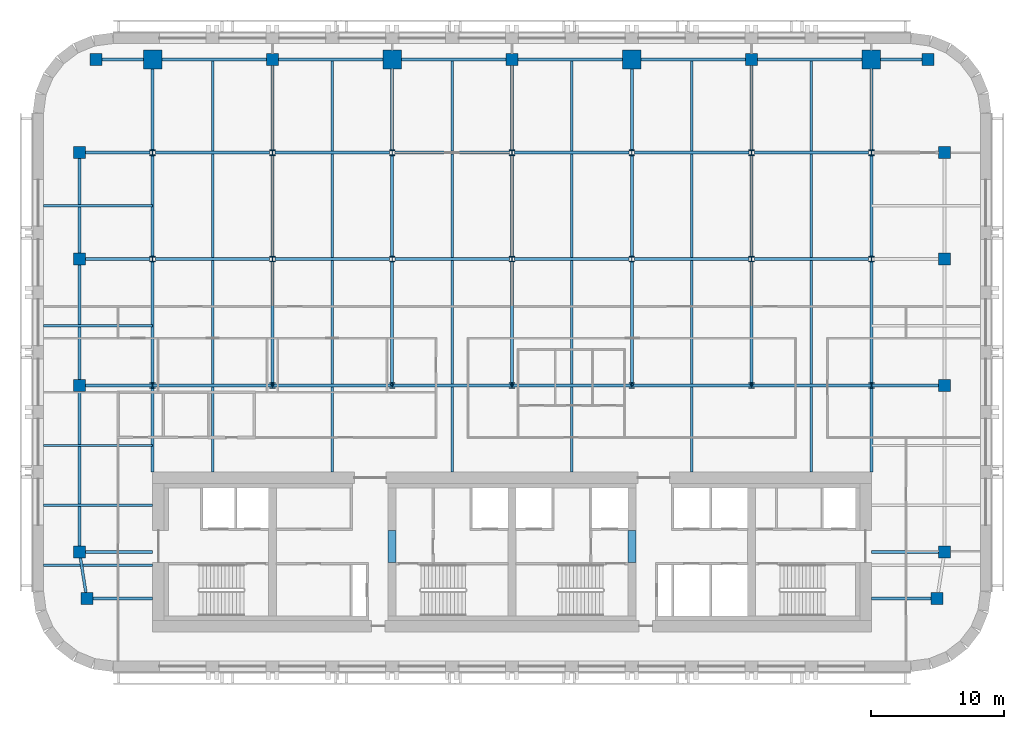
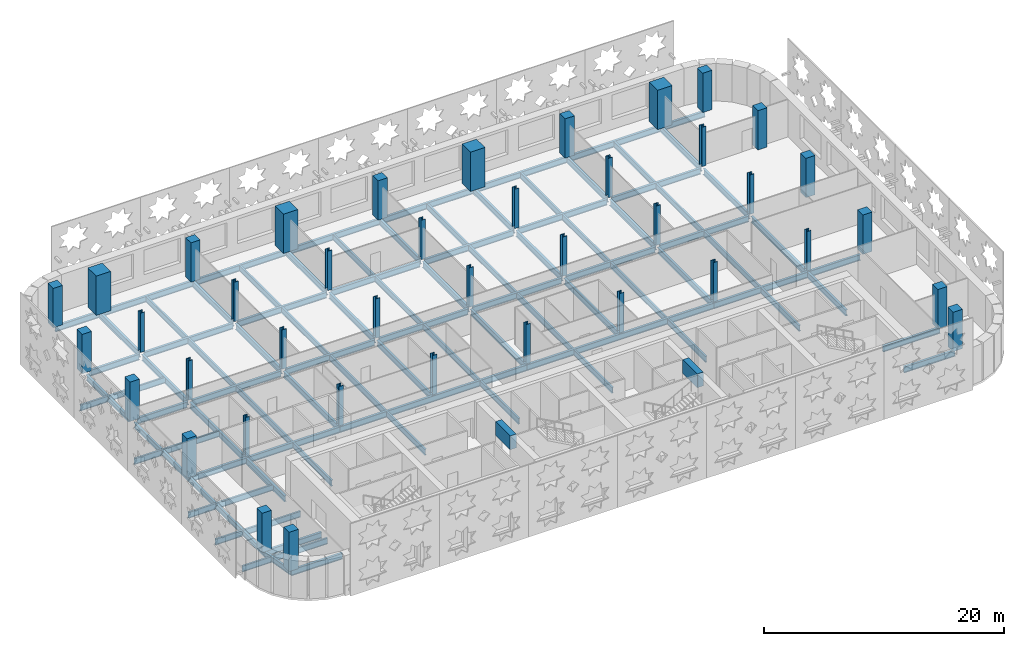
# One storey, part 1 of 12: 64 beams, 40 columns.
"""IFC4 building model written with IfcOpenShell, lengths in metres."""

from ifc_helpers import new_model, si_unit, direction, frame, origin, origin_2d, place, context, subcontext, project, spatial, rectangle, i_section, extrude, material, material_profile, profile_set, type_object, element, save


model = new_model("IFC4")

# Units and contexts
model_context = context("Model", 3, precision=1e-05, world=origin(), true_north=direction((0.0, 1.0)))
body_context = subcontext(model_context, "Body", "Model", "MODEL_VIEW")
ifc_project = project(units=[si_unit("LENGTHUNIT", "METRE"), si_unit("AREAUNIT", "SQUARE_METRE"), si_unit("VOLUMEUNIT", "CUBIC_METRE"), si_unit("PLANEANGLEUNIT", "RADIAN"), si_unit("MASSUNIT", "GRAM", prefix="KILO")], contexts=[model_context])

# Site, building, storey
site_placement = place(None, origin())
site = spatial("IfcSite", under=ifc_project, at=site_placement, CompositionType="ELEMENT")
building_placement = place(site_placement, origin())
building = spatial("IfcBuilding", under=site, at=building_placement, Name="Zellij Exchange Tower", CompositionType="ELEMENT")
storey_placement = place(building_placement, frame((0.0, 0.0, 196.5)))
storey = spatial("IfcBuildingStorey", under=building, at=storey_placement, Name="L45", CompositionType="ELEMENT", Elevation=196.5)

# Columns
ifc_material_1 = material(Name="Concrete C60/75", Category="concrete")
ifc_material_profile_1 = material_profile(ifc_material_1, rectangle(XDim=0.89990234375, YDim=0.89990234375, at=origin_2d()), Name="STR-COLUMN RC900x900 C60/75")
ifc_profile_set_1 = profile_set([ifc_material_profile_1], Name="Concrete C60/75")
column_type_1 = type_object("IfcColumnType", Name="STR-COLUMN RC900x900 C60/75", PredefinedType="COLUMN", material=ifc_profile_set_1)
for number, where, z_axis, x_axis, name in (
    (1, (-31.949951171875, -11.5, 0.0), (0.0, 0.0, 1.0), (1.0, 0.0, 0.0), "C16"),
    (2, (31.949951171875, -11.5, 0.0), (0.0, 0.0, 1.0), (1.0, 0.0, 0.0), "C16"),
    (3, (-32.5, -8.0, 0.0), (0.0, 0.0, 1.0), (1.0, 0.0, 0.0), "C16"),
    (4, (32.5, -8.0, 0.0), (0.0, 0.0, 1.0), (1.0, 0.0, 0.0), "C16"),
    (5, (-32.5, 4.5, 0.0), (0.0, 0.0, 1.0), (1.0, 0.0, 0.0), "C16"),
    (6, (32.5, 4.5, 0.0), (0.0, 0.0, 1.0), (1.0, 0.0, 0.0), "C16"),
    (7, (-32.5, 14.0, 0.0), (0.0, 0.0, 1.0), (1.0, 0.0, 0.0), "C16"),
    (8, (32.5, 14.0, 0.0), (0.0, 0.0, 1.0), (1.0, 0.0, 0.0), "C16"),
    (9, (-32.5, 22.0, 0.0), (0.0, 0.0, 1.0), (1.0, 0.0, 0.0), "C16"),
    (10, (32.5, 22.0, 0.0), (0.0, 0.0, 1.0), (1.0, 0.0, 0.0), "C16"),
    (11, (-31.25, 29.0, 0.0), (0.0, 0.0, 1.0), (1.0, 0.0, 0.0), "C16"),
    (12, (-18.0, 29.0, 0.0), (0.0, 0.0, 1.0), (1.0, 0.0, 0.0), "C16"),
    (13, (0.0, 29.0, 0.0), (0.0, 0.0, 1.0), (1.0, 0.0, 0.0), "C16"),
    (14, (18.0, 29.0, 0.0), (0.0, 0.0, 1.0), (1.0, 0.0, 0.0), "C16"),
    (15, (31.25, 29.0, 0.0), (0.0, 0.0, 1.0), (1.0, 0.0, 0.0), "C16"),
):
    element("IfcColumn", number, at=place(storey_placement, frame(where, z_axis=z_axis, x_axis=x_axis)), inside=storey, type_object=column_type_1, Name=name, PredefinedType="COLUMN", context=body_context, shape_type="SweptSolid", body=[
        extrude(rectangle(XDim=0.89990234375, YDim=0.89990234375, at=origin_2d()), origin(), (0.0, 0.0, 1.0), 4.0),
    ])
ifc_material_2 = material(Name="Structural steel ASTM A913 Gr 65", Category="steel")
ifc_material_profile_2 = material_profile(ifc_material_2, i_section(OverallWidth=0.408935546875, OverallDepth=0.424072265625, WebThickness=0.03271484375, FlangeThickness=0.052490234375, at=origin_2d()), Name="W14x283")
ifc_profile_set_2 = profile_set([ifc_material_profile_2], Name="Structural steel ASTM A913 Gr 65")
column_type_2 = type_object("IfcColumnType", Name="STR-COLUMN W14x283", PredefinedType="COLUMN", material=ifc_profile_set_2)
for number, where, z_axis, x_axis, name in (
    (16, (-27.0, 4.5, 0.0), (0.0, 0.0, 1.0), (1.0, 0.0, 0.0), "C3"),
    (17, (-18.0, 4.5, 0.0), (0.0, 0.0, 1.0), (1.0, 0.0, 0.0), "C3"),
    (18, (-9.0, 4.5, 0.0), (0.0, 0.0, 1.0), (1.0, 0.0, 0.0), "C3"),
    (19, (0.0, 4.5, 0.0), (0.0, 0.0, 1.0), (1.0, 0.0, 0.0), "C3"),
    (20, (9.0, 4.5, 0.0), (0.0, 0.0, 1.0), (1.0, 0.0, 0.0), "C3"),
    (21, (18.0, 4.5, 0.0), (0.0, 0.0, 1.0), (1.0, 0.0, 0.0), "C3"),
    (22, (27.0, 4.5, 0.0), (0.0, 0.0, 1.0), (1.0, 0.0, 0.0), "C3"),
    (23, (-27.0, 14.0, 0.0), (0.0, 0.0, 1.0), (1.0, 0.0, 0.0), "C3"),
    (24, (-18.0, 14.0, 0.0), (0.0, 0.0, 1.0), (1.0, 0.0, 0.0), "C3"),
    (25, (-9.0, 14.0, 0.0), (0.0, 0.0, 1.0), (1.0, 0.0, 0.0), "C3"),
    (26, (0.0, 14.0, 0.0), (0.0, 0.0, 1.0), (1.0, 0.0, 0.0), "C3"),
    (27, (9.0, 14.0, 0.0), (0.0, 0.0, 1.0), (1.0, 0.0, 0.0), "C3"),
    (28, (18.0, 14.0, 0.0), (0.0, 0.0, 1.0), (1.0, 0.0, 0.0), "C3"),
    (29, (27.0, 14.0, 0.0), (0.0, 0.0, 1.0), (1.0, 0.0, 0.0), "C3"),
    (30, (-27.0, 22.0, 0.0), (0.0, 0.0, 1.0), (1.0, 0.0, 0.0), "C3"),
    (31, (-18.0, 22.0, 0.0), (0.0, 0.0, 1.0), (1.0, 0.0, 0.0), "C3"),
    (32, (-9.0, 22.0, 0.0), (0.0, 0.0, 1.0), (1.0, 0.0, 0.0), "C3"),
    (33, (0.0, 22.0, 0.0), (0.0, 0.0, 1.0), (1.0, 0.0, 0.0), "C3"),
    (34, (9.0, 22.0, 0.0), (0.0, 0.0, 1.0), (1.0, 0.0, 0.0), "C3"),
    (35, (18.0, 22.0, 0.0), (0.0, 0.0, 1.0), (1.0, 0.0, 0.0), "C3"),
    (36, (27.0, 22.0, 0.0), (0.0, 0.0, 1.0), (1.0, 0.0, 0.0), "C3"),
):
    element("IfcColumn", number, at=place(storey_placement, frame(where, z_axis=z_axis, x_axis=x_axis)), inside=storey, type_object=column_type_2, Name=name, PredefinedType="COLUMN", context=body_context, shape_type="SweptSolid", body=[
        extrude(i_section(OverallWidth=0.408935546875, OverallDepth=0.424072265625, WebThickness=0.03271484375, FlangeThickness=0.052490234375, at=origin_2d()), origin(), (0.0, 0.0, 1.0), 4.0),
    ])
ifc_material_profile_3 = material_profile(ifc_material_1, rectangle(XDim=1.39990234375, YDim=1.39990234375, at=origin_2d()), Name="STR-MEGA COLUMN RC1400x1400 C60/75")
ifc_profile_set_3 = profile_set([ifc_material_profile_3], Name="Concrete C60/75")
column_type_3 = type_object("IfcColumnType", Name="STR-MEGA COLUMN RC1400x1400 C60/75", PredefinedType="COLUMN", material=ifc_profile_set_3)
for number, where, z_axis, x_axis, name in (
    (37, (-27.0, 29.0, 0.0), (0.0, 0.0, 1.0), (1.0, 0.0, 0.0), "MC3"),
    (38, (-9.0, 29.0, 0.0), (0.0, 0.0, 1.0), (1.0, 0.0, 0.0), "MC3"),
    (39, (9.0, 29.0, 0.0), (0.0, 0.0, 1.0), (1.0, 0.0, 0.0), "MC3"),
    (40, (27.0, 29.0, 0.0), (0.0, 0.0, 1.0), (1.0, 0.0, 0.0), "MC3"),
):
    element("IfcColumn", number, at=place(storey_placement, frame(where, z_axis=z_axis, x_axis=x_axis)), inside=storey, type_object=column_type_3, Name=name, PredefinedType="COLUMN", context=body_context, shape_type="SweptSolid", body=[
        extrude(rectangle(XDim=1.39990234375, YDim=1.39990234375, at=origin_2d()), origin(), (0.0, 0.0, 1.0), 4.0),
    ])

# Beams
ifc_material_profile_4 = material_profile(ifc_material_1, rectangle(XDim=0.60009765625, YDim=1.39990234375, at=origin_2d()), Name="CORE-CB 600x1400 C60/75")
ifc_profile_set_4 = profile_set([ifc_material_profile_4], Name="Concrete C60/75")
beam_type_1 = type_object("IfcBeamType", Name="CORE-CB 600x1400 C60/75", PredefinedType="BEAM", material=ifc_profile_set_4)
for number, where, z_axis, x_axis, name in (
    (41, (-9.0, -8.800048828125, 3.10009765625), (0.0, 1.0, 0.0), (-1.0, 0.0, 0.0), "Core coupling beam x -9 L45"),
    (42, (9.0, -8.800048828125, 3.10009765625), (0.0, 1.0, 0.0), (-1.0, 0.0, 0.0), "Core coupling beam x 9 L45"),
):
    element("IfcBeam", number, at=place(storey_placement, frame(where, z_axis=z_axis, x_axis=x_axis)), inside=storey, type_object=beam_type_1, Name=name, PredefinedType="BEAM", context=body_context, shape_type="SweptSolid", body=[
        extrude(rectangle(XDim=0.60009765625, YDim=1.39990234375, at=origin_2d()), origin(), (0.0, 0.0, 1.0), 2.425048828125),
    ])
ifc_material_3 = material(Name="Structural steel ASTM A992 Gr 50", Category="steel")
ifc_material_profile_5 = material_profile(ifc_material_3, i_section(OverallWidth=0.177978515625, OverallDepth=0.599365234375, WebThickness=0.010009765625, FlangeThickness=0.012939453125, at=origin_2d()), Name="W24x55")
ifc_profile_set_5 = profile_set([ifc_material_profile_5], Name="Structural steel ASTM A992 Gr 50")
beam_type_2 = type_object("IfcBeamType", Name="STR-BEAM W24x55", PredefinedType="BEAM", material=ifc_profile_set_5)
for number, where, z_axis, x_axis, name in (
    (43, (-22.5, -2.0, -0.499755859375), (0.0, 1.0, 0.0), (-1.0, 0.0, 0.0), "B4"),
    (44, (-13.5, -2.0, -0.499755859375), (0.0, 1.0, 0.0), (-1.0, 0.0, 0.0), "B4"),
    (45, (-4.5, -2.0, -0.499755859375), (0.0, 1.0, 0.0), (-1.0, 0.0, 0.0), "B4"),
    (46, (4.5, -2.0, -0.499755859375), (0.0, 1.0, 0.0), (-1.0, 0.0, 0.0), "B4"),
    (47, (13.5, -2.0, -0.499755859375), (0.0, 1.0, 0.0), (-1.0, 0.0, 0.0), "B4"),
    (48, (22.5, -2.0, -0.499755859375), (0.0, 1.0, 0.0), (-1.0, 0.0, 0.0), "B4"),
):
    element("IfcBeam", number, at=place(storey_placement, frame(where, z_axis=z_axis, x_axis=x_axis)), inside=storey, type_object=beam_type_2, Name=name, PredefinedType="BEAM", context=body_context, shape_type="SweptSolid", body=[
        extrude(i_section(OverallWidth=0.177978515625, OverallDepth=0.599365234375, WebThickness=0.010009765625, FlangeThickness=0.012939453125, at=origin_2d()), origin(), (0.0, 0.0, 1.0), 31.1142578125),
    ])
for number, where, z_axis, x_axis, name in (
    (49, (-35.199951171875, -9.0, -0.499755859375), (1.0, 0.0, 0.0), (0.0, 1.0, 0.0), "B4"),
    (50, (-35.199951171875, -4.5, -0.499755859375), (1.0, 0.0, 0.0), (0.0, 1.0, 0.0), "B4"),
    (51, (-35.199951171875, 0.0, -0.499755859375), (1.0, 0.0, 0.0), (0.0, 1.0, 0.0), "B4"),
    (52, (-35.199951171875, 9.0, -0.499755859375), (1.0, 0.0, 0.0), (0.0, 1.0, 0.0), "B4"),
    (53, (-35.199951171875, 18.0, -0.499755859375), (1.0, 0.0, 0.0), (0.0, 1.0, 0.0), "B4"),
):
    element("IfcBeam", number, at=place(storey_placement, frame(where, z_axis=z_axis, x_axis=x_axis)), inside=storey, type_object=beam_type_2, Name=name, PredefinedType="BEAM", context=body_context, shape_type="SweptSolid", body=[
        extrude(i_section(OverallWidth=0.177978515625, OverallDepth=0.599365234375, WebThickness=0.010009765625, FlangeThickness=0.012939453125, at=origin_2d()), origin(), (0.0, 0.0, 1.0), 8.199951171875),
    ])
ifc_material_profile_6 = material_profile(ifc_material_3, i_section(OverallWidth=0.209228515625, OverallDepth=0.533447265625, WebThickness=0.01025390625, FlangeThickness=0.015625, at=origin_2d()), Name="W21x62")
ifc_profile_set_6 = profile_set([ifc_material_profile_6], Name="Structural steel ASTM A992 Gr 50")
beam_type_3 = type_object("IfcBeamType", Name="STR-EDGE GIRDER W21x62", PredefinedType="BEAM", material=ifc_profile_set_6)
beam_1_placement = place(storey_placement, frame((-31.949951171875, -11.5, -0.466796875), z_axis=(-0.155251283593, 0.987875011802, 0.0), x_axis=(-0.987875011802, -0.155251283593, 0.0)))
element("IfcBeam", 54, at=beam_1_placement, inside=storey, type_object=beam_type_3, Name="EB3", PredefinedType="BEAM", context=body_context, shape_type="SweptSolid", body=[
    extrude(i_section(OverallWidth=0.209228515625, OverallDepth=0.533447265625, WebThickness=0.01025390625, FlangeThickness=0.015625, at=origin_2d()), origin(), (0.0, 0.0, 1.0), 3.54296875),
])
beam_2_placement = place(storey_placement, frame((-32.5, -8.0, -0.466796875), z_axis=(0.0, 1.0, 0.0), x_axis=(-1.0, 0.0, 0.0)))
element("IfcBeam", 55, at=beam_2_placement, inside=storey, type_object=beam_type_3, Name="EB3", PredefinedType="BEAM", context=body_context, shape_type="SweptSolid", body=[
    extrude(i_section(OverallWidth=0.209228515625, OverallDepth=0.533447265625, WebThickness=0.01025390625, FlangeThickness=0.015625, at=origin_2d()), origin(), (0.0, 0.0, 1.0), 12.5),
])
beam_3_placement = place(storey_placement, frame((-32.5, 4.5, -0.466796875), z_axis=(0.0, 1.0, 0.0), x_axis=(-1.0, 0.0, 0.0)))
element("IfcBeam", 56, at=beam_3_placement, inside=storey, type_object=beam_type_3, Name="EB3", PredefinedType="BEAM", context=body_context, shape_type="SweptSolid", body=[
    extrude(i_section(OverallWidth=0.209228515625, OverallDepth=0.533447265625, WebThickness=0.01025390625, FlangeThickness=0.015625, at=origin_2d()), origin(), (0.0, 0.0, 1.0), 9.050048828125),
])
beam_4_placement = place(storey_placement, frame((-32.5, 14.449951171875, -0.466796875), z_axis=(0.0, 1.0, 0.0), x_axis=(-1.0, 0.0, 0.0)))
element("IfcBeam", 57, at=beam_4_placement, inside=storey, type_object=beam_type_3, Name="EB3", PredefinedType="BEAM", context=body_context, shape_type="SweptSolid", body=[
    extrude(i_section(OverallWidth=0.209228515625, OverallDepth=0.533447265625, WebThickness=0.01025390625, FlangeThickness=0.015625, at=origin_2d()), origin(), (0.0, 0.0, 1.0), 7.10009765625),
])
ifc_material_profile_7 = material_profile(ifc_material_3, i_section(OverallWidth=0.228271484375, OverallDepth=0.607177734375, WebThickness=0.01123046875, FlangeThickness=0.017333984375, at=origin_2d()), Name="W24x76")
ifc_profile_set_7 = profile_set([ifc_material_profile_7], Name="Structural steel ASTM A992 Gr 50")
beam_type_4 = type_object("IfcBeamType", Name="STR-GIRDER W24x76", PredefinedType="BEAM", material=ifc_profile_set_7)
for number, where, z_axis, x_axis, name in (
    (58, (-31.949951171875, -11.5, -0.50341796875), (1.0, 0.0, 0.0), (0.0, 1.0, 0.0), "G2"),
    (59, (27.0, -11.5, -0.50341796875), (1.0, 0.0, 0.0), (0.0, 1.0, 0.0), "G2"),
):
    element("IfcBeam", number, at=place(storey_placement, frame(where, z_axis=z_axis, x_axis=x_axis)), inside=storey, type_object=beam_type_4, Name=name, PredefinedType="BEAM", context=body_context, shape_type="SweptSolid", body=[
        extrude(i_section(OverallWidth=0.228271484375, OverallDepth=0.607177734375, WebThickness=0.01123046875, FlangeThickness=0.017333984375, at=origin_2d()), origin(), (0.0, 0.0, 1.0), 4.949951171875),
    ])
for number, where, z_axis, x_axis, name in (
    (60, (-32.5, -8.0, -0.50341796875), (1.0, 0.0, 0.0), (0.0, 1.0, 0.0), "G2"),
    (61, (27.0, -8.0, -0.50341796875), (1.0, 0.0, 0.0), (0.0, 1.0, 0.0), "G2"),
):
    element("IfcBeam", number, at=place(storey_placement, frame(where, z_axis=z_axis, x_axis=x_axis)), inside=storey, type_object=beam_type_4, Name=name, PredefinedType="BEAM", context=body_context, shape_type="SweptSolid", body=[
        extrude(i_section(OverallWidth=0.228271484375, OverallDepth=0.607177734375, WebThickness=0.01123046875, FlangeThickness=0.017333984375, at=origin_2d()), origin(), (0.0, 0.0, 1.0), 5.5),
    ])
beam_5_placement = place(storey_placement, frame((-32.5, 4.5, -0.50341796875), z_axis=(1.0, 0.0, 0.0), x_axis=(0.0, 1.0, 0.0)))
element("IfcBeam", 62, at=beam_5_placement, inside=storey, type_object=beam_type_4, Name="G2", PredefinedType="BEAM", context=body_context, shape_type="SweptSolid", body=[
    extrude(i_section(OverallWidth=0.228271484375, OverallDepth=0.607177734375, WebThickness=0.01123046875, FlangeThickness=0.017333984375, at=origin_2d()), origin(), (0.0, 0.0, 1.0), 14.5),
])
for number, where, z_axis, x_axis, name in (
    (63, (-18.0, 4.5, -0.50341796875), (1.0, 0.0, 0.0), (0.0, 1.0, 0.0), "G2"),
    (64, (0.0, 4.5, -0.50341796875), (1.0, 0.0, 0.0), (0.0, 1.0, 0.0), "G2"),
):
    element("IfcBeam", number, at=place(storey_placement, frame(where, z_axis=z_axis, x_axis=x_axis)), inside=storey, type_object=beam_type_4, Name=name, PredefinedType="BEAM", context=body_context, shape_type="SweptSolid", body=[
        extrude(i_section(OverallWidth=0.228271484375, OverallDepth=0.607177734375, WebThickness=0.01123046875, FlangeThickness=0.017333984375, at=origin_2d()), origin(), (0.0, 0.0, 1.0), 18.0),
    ])
beam_6_placement = place(storey_placement, frame((18.0, 4.5, -0.50341796875), z_axis=(1.0, 0.0, 0.0), x_axis=(0.0, 1.0, 0.0)))
element("IfcBeam", 65, at=beam_6_placement, inside=storey, type_object=beam_type_4, Name="G2", PredefinedType="BEAM", context=body_context, shape_type="SweptSolid", body=[
    extrude(i_section(OverallWidth=0.228271484375, OverallDepth=0.607177734375, WebThickness=0.01123046875, FlangeThickness=0.017333984375, at=origin_2d()), origin(), (0.0, 0.0, 1.0), 14.050048828125),
])
beam_7_placement = place(storey_placement, frame((-32.050048828125, 14.0, -0.50341796875), z_axis=(1.0, 0.0, 0.0), x_axis=(0.0, 1.0, 0.0)))
element("IfcBeam", 66, at=beam_7_placement, inside=storey, type_object=beam_type_4, Name="G2", PredefinedType="BEAM", context=body_context, shape_type="SweptSolid", body=[
    extrude(i_section(OverallWidth=0.228271484375, OverallDepth=0.607177734375, WebThickness=0.01123046875, FlangeThickness=0.017333984375, at=origin_2d()), origin(), (0.0, 0.0, 1.0), 4.845458984375),
])
for number, where, z_axis, x_axis, name in (
    (67, (-26.79541015625, 14.0, -0.50341796875), (1.0, 0.0, 0.0), (0.0, 1.0, 0.0), "G2"),
    (68, (-17.79541015625, 14.0, -0.50341796875), (1.0, 0.0, 0.0), (0.0, 1.0, 0.0), "G2"),
    (69, (-8.79541015625, 14.0, -0.50341796875), (1.0, 0.0, 0.0), (0.0, 1.0, 0.0), "G2"),
    (70, (0.20458984375, 14.0, -0.50341796875), (1.0, 0.0, 0.0), (0.0, 1.0, 0.0), "G2"),
    (71, (9.20458984375, 14.0, -0.50341796875), (1.0, 0.0, 0.0), (0.0, 1.0, 0.0), "G2"),
    (72, (18.20458984375, 14.0, -0.50341796875), (1.0, 0.0, 0.0), (0.0, 1.0, 0.0), "G2"),
):
    element("IfcBeam", number, at=place(storey_placement, frame(where, z_axis=z_axis, x_axis=x_axis)), inside=storey, type_object=beam_type_4, Name=name, PredefinedType="BEAM", context=body_context, shape_type="SweptSolid", body=[
        extrude(i_section(OverallWidth=0.228271484375, OverallDepth=0.607177734375, WebThickness=0.01123046875, FlangeThickness=0.017333984375, at=origin_2d()), origin(), (0.0, 0.0, 1.0), 8.5908203125),
    ])
beam_8_placement = place(storey_placement, frame((-32.050048828125, 22.0, -0.50341796875), z_axis=(1.0, 0.0, 0.0), x_axis=(0.0, 1.0, 0.0)))
element("IfcBeam", 73, at=beam_8_placement, inside=storey, type_object=beam_type_4, Name="G2", PredefinedType="BEAM", context=body_context, shape_type="SweptSolid", body=[
    extrude(i_section(OverallWidth=0.228271484375, OverallDepth=0.607177734375, WebThickness=0.01123046875, FlangeThickness=0.017333984375, at=origin_2d()), origin(), (0.0, 0.0, 1.0), 4.845458984375),
])
for number, where, z_axis, x_axis, name in (
    (74, (-26.79541015625, 22.0, -0.50341796875), (1.0, 0.0, 0.0), (0.0, 1.0, 0.0), "G2"),
    (75, (-17.79541015625, 22.0, -0.50341796875), (1.0, 0.0, 0.0), (0.0, 1.0, 0.0), "G2"),
    (76, (-8.79541015625, 22.0, -0.50341796875), (1.0, 0.0, 0.0), (0.0, 1.0, 0.0), "G2"),
    (77, (0.20458984375, 22.0, -0.50341796875), (1.0, 0.0, 0.0), (0.0, 1.0, 0.0), "G2"),
    (78, (9.20458984375, 22.0, -0.50341796875), (1.0, 0.0, 0.0), (0.0, 1.0, 0.0), "G2"),
    (79, (18.20458984375, 22.0, -0.50341796875), (1.0, 0.0, 0.0), (0.0, 1.0, 0.0), "G2"),
):
    element("IfcBeam", number, at=place(storey_placement, frame(where, z_axis=z_axis, x_axis=x_axis)), inside=storey, type_object=beam_type_4, Name=name, PredefinedType="BEAM", context=body_context, shape_type="SweptSolid", body=[
        extrude(i_section(OverallWidth=0.228271484375, OverallDepth=0.607177734375, WebThickness=0.01123046875, FlangeThickness=0.017333984375, at=origin_2d()), origin(), (0.0, 0.0, 1.0), 8.5908203125),
    ])
beam_9_placement = place(storey_placement, frame((-31.25, 29.0, -0.50341796875), z_axis=(1.0, 0.0, 0.0), x_axis=(0.0, 1.0, 0.0)))
element("IfcBeam", 80, at=beam_9_placement, inside=storey, type_object=beam_type_4, Name="G2", PredefinedType="BEAM", context=body_context, shape_type="SweptSolid", body=[
    extrude(i_section(OverallWidth=0.228271484375, OverallDepth=0.607177734375, WebThickness=0.01123046875, FlangeThickness=0.017333984375, at=origin_2d()), origin(), (0.0, 0.0, 1.0), 13.25),
])
for number, where, z_axis, x_axis, name in (
    (81, (-18.0, 29.0, -0.50341796875), (1.0, 0.0, 0.0), (0.0, 1.0, 0.0), "G2"),
    (82, (0.0, 29.0, -0.50341796875), (1.0, 0.0, 0.0), (0.0, 1.0, 0.0), "G2"),
):
    element("IfcBeam", number, at=place(storey_placement, frame(where, z_axis=z_axis, x_axis=x_axis)), inside=storey, type_object=beam_type_4, Name=name, PredefinedType="BEAM", context=body_context, shape_type="SweptSolid", body=[
        extrude(i_section(OverallWidth=0.228271484375, OverallDepth=0.607177734375, WebThickness=0.01123046875, FlangeThickness=0.017333984375, at=origin_2d()), origin(), (0.0, 0.0, 1.0), 18.0),
    ])
beam_10_placement = place(storey_placement, frame((18.0, 29.0, -0.50341796875), z_axis=(1.0, 0.0, 0.0), x_axis=(0.0, 1.0, 0.0)))
element("IfcBeam", 83, at=beam_10_placement, inside=storey, type_object=beam_type_4, Name="G2", PredefinedType="BEAM", context=body_context, shape_type="SweptSolid", body=[
    extrude(i_section(OverallWidth=0.228271484375, OverallDepth=0.607177734375, WebThickness=0.01123046875, FlangeThickness=0.017333984375, at=origin_2d()), origin(), (0.0, 0.0, 1.0), 13.25),
])
beam_11_placement = place(storey_placement, frame((-27.0, -2.0, -0.50341796875), z_axis=(0.0, 1.0, 0.0), x_axis=(-1.0, 0.0, 0.0)))
element("IfcBeam", 84, at=beam_11_placement, inside=storey, type_object=beam_type_4, Name="G2", PredefinedType="BEAM", context=body_context, shape_type="SweptSolid", body=[
    extrude(i_section(OverallWidth=0.228271484375, OverallDepth=0.607177734375, WebThickness=0.01123046875, FlangeThickness=0.017333984375, at=origin_2d()), origin(), (0.0, 0.0, 1.0), 15.787841796875),
])
beam_12_placement = place(storey_placement, frame((-27.0, 14.212158203125, -0.50341796875), z_axis=(0.0, 1.0, 0.0), x_axis=(-1.0, 0.0, 0.0)))
element("IfcBeam", 85, at=beam_12_placement, inside=storey, type_object=beam_type_4, Name="G2", PredefinedType="BEAM", context=body_context, shape_type="SweptSolid", body=[
    extrude(i_section(OverallWidth=0.228271484375, OverallDepth=0.607177734375, WebThickness=0.01123046875, FlangeThickness=0.017333984375, at=origin_2d()), origin(), (0.0, 0.0, 1.0), 7.57568359375),
])
beam_13_placement = place(storey_placement, frame((-27.0, 22.212158203125, -0.50341796875), z_axis=(0.0, 1.0, 0.0), x_axis=(-1.0, 0.0, 0.0)))
element("IfcBeam", 86, at=beam_13_placement, inside=storey, type_object=beam_type_4, Name="G2", PredefinedType="BEAM", context=body_context, shape_type="SweptSolid", body=[
    extrude(i_section(OverallWidth=0.228271484375, OverallDepth=0.607177734375, WebThickness=0.01123046875, FlangeThickness=0.017333984375, at=origin_2d()), origin(), (0.0, 0.0, 1.0), 6.787841796875),
])
beam_14_placement = place(storey_placement, frame((-18.0, 4.5, -0.50341796875), z_axis=(0.0, 1.0, 0.0), x_axis=(-1.0, 0.0, 0.0)))
element("IfcBeam", 87, at=beam_14_placement, inside=storey, type_object=beam_type_4, Name="G2", PredefinedType="BEAM", context=body_context, shape_type="SweptSolid", body=[
    extrude(i_section(OverallWidth=0.228271484375, OverallDepth=0.607177734375, WebThickness=0.01123046875, FlangeThickness=0.017333984375, at=origin_2d()), origin(), (0.0, 0.0, 1.0), 9.287841796875),
])
beam_15_placement = place(storey_placement, frame((-18.0, 14.212158203125, -0.50341796875), z_axis=(0.0, 1.0, 0.0), x_axis=(-1.0, 0.0, 0.0)))
element("IfcBeam", 88, at=beam_15_placement, inside=storey, type_object=beam_type_4, Name="G2", PredefinedType="BEAM", context=body_context, shape_type="SweptSolid", body=[
    extrude(i_section(OverallWidth=0.228271484375, OverallDepth=0.607177734375, WebThickness=0.01123046875, FlangeThickness=0.017333984375, at=origin_2d()), origin(), (0.0, 0.0, 1.0), 7.57568359375),
])
beam_16_placement = place(storey_placement, frame((-18.0, 22.212158203125, -0.50341796875), z_axis=(0.0, 1.0, 0.0), x_axis=(-1.0, 0.0, 0.0)))
element("IfcBeam", 89, at=beam_16_placement, inside=storey, type_object=beam_type_4, Name="G2", PredefinedType="BEAM", context=body_context, shape_type="SweptSolid", body=[
    extrude(i_section(OverallWidth=0.228271484375, OverallDepth=0.607177734375, WebThickness=0.01123046875, FlangeThickness=0.017333984375, at=origin_2d()), origin(), (0.0, 0.0, 1.0), 6.787841796875),
])
beam_17_placement = place(storey_placement, frame((-9.0, 4.5, -0.50341796875), z_axis=(0.0, 1.0, 0.0), x_axis=(-1.0, 0.0, 0.0)))
element("IfcBeam", 90, at=beam_17_placement, inside=storey, type_object=beam_type_4, Name="G2", PredefinedType="BEAM", context=body_context, shape_type="SweptSolid", body=[
    extrude(i_section(OverallWidth=0.228271484375, OverallDepth=0.607177734375, WebThickness=0.01123046875, FlangeThickness=0.017333984375, at=origin_2d()), origin(), (0.0, 0.0, 1.0), 9.287841796875),
])
beam_18_placement = place(storey_placement, frame((-9.0, 14.212158203125, -0.50341796875), z_axis=(0.0, 1.0, 0.0), x_axis=(-1.0, 0.0, 0.0)))
element("IfcBeam", 91, at=beam_18_placement, inside=storey, type_object=beam_type_4, Name="G2", PredefinedType="BEAM", context=body_context, shape_type="SweptSolid", body=[
    extrude(i_section(OverallWidth=0.228271484375, OverallDepth=0.607177734375, WebThickness=0.01123046875, FlangeThickness=0.017333984375, at=origin_2d()), origin(), (0.0, 0.0, 1.0), 7.57568359375),
])
beam_19_placement = place(storey_placement, frame((-9.0, 22.212158203125, -0.50341796875), z_axis=(0.0, 1.0, 0.0), x_axis=(-1.0, 0.0, 0.0)))
element("IfcBeam", 92, at=beam_19_placement, inside=storey, type_object=beam_type_4, Name="G2", PredefinedType="BEAM", context=body_context, shape_type="SweptSolid", body=[
    extrude(i_section(OverallWidth=0.228271484375, OverallDepth=0.607177734375, WebThickness=0.01123046875, FlangeThickness=0.017333984375, at=origin_2d()), origin(), (0.0, 0.0, 1.0), 6.787841796875),
])
beam_20_placement = place(storey_placement, frame((0.0, 4.5, -0.50341796875), z_axis=(0.0, 1.0, 0.0), x_axis=(-1.0, 0.0, 0.0)))
element("IfcBeam", 93, at=beam_20_placement, inside=storey, type_object=beam_type_4, Name="G2", PredefinedType="BEAM", context=body_context, shape_type="SweptSolid", body=[
    extrude(i_section(OverallWidth=0.228271484375, OverallDepth=0.607177734375, WebThickness=0.01123046875, FlangeThickness=0.017333984375, at=origin_2d()), origin(), (0.0, 0.0, 1.0), 9.287841796875),
])
beam_21_placement = place(storey_placement, frame((0.0, 14.212158203125, -0.50341796875), z_axis=(0.0, 1.0, 0.0), x_axis=(-1.0, 0.0, 0.0)))
element("IfcBeam", 94, at=beam_21_placement, inside=storey, type_object=beam_type_4, Name="G2", PredefinedType="BEAM", context=body_context, shape_type="SweptSolid", body=[
    extrude(i_section(OverallWidth=0.228271484375, OverallDepth=0.607177734375, WebThickness=0.01123046875, FlangeThickness=0.017333984375, at=origin_2d()), origin(), (0.0, 0.0, 1.0), 7.57568359375),
])
beam_22_placement = place(storey_placement, frame((0.0, 22.212158203125, -0.50341796875), z_axis=(0.0, 1.0, 0.0), x_axis=(-1.0, 0.0, 0.0)))
element("IfcBeam", 95, at=beam_22_placement, inside=storey, type_object=beam_type_4, Name="G2", PredefinedType="BEAM", context=body_context, shape_type="SweptSolid", body=[
    extrude(i_section(OverallWidth=0.228271484375, OverallDepth=0.607177734375, WebThickness=0.01123046875, FlangeThickness=0.017333984375, at=origin_2d()), origin(), (0.0, 0.0, 1.0), 6.787841796875),
])
beam_23_placement = place(storey_placement, frame((9.0, 4.5, -0.50341796875), z_axis=(0.0, 1.0, 0.0), x_axis=(-1.0, 0.0, 0.0)))
element("IfcBeam", 96, at=beam_23_placement, inside=storey, type_object=beam_type_4, Name="G2", PredefinedType="BEAM", context=body_context, shape_type="SweptSolid", body=[
    extrude(i_section(OverallWidth=0.228271484375, OverallDepth=0.607177734375, WebThickness=0.01123046875, FlangeThickness=0.017333984375, at=origin_2d()), origin(), (0.0, 0.0, 1.0), 9.287841796875),
])
beam_24_placement = place(storey_placement, frame((9.0, 14.212158203125, -0.50341796875), z_axis=(0.0, 1.0, 0.0), x_axis=(-1.0, 0.0, 0.0)))
element("IfcBeam", 97, at=beam_24_placement, inside=storey, type_object=beam_type_4, Name="G2", PredefinedType="BEAM", context=body_context, shape_type="SweptSolid", body=[
    extrude(i_section(OverallWidth=0.228271484375, OverallDepth=0.607177734375, WebThickness=0.01123046875, FlangeThickness=0.017333984375, at=origin_2d()), origin(), (0.0, 0.0, 1.0), 7.57568359375),
])
beam_25_placement = place(storey_placement, frame((9.0, 22.212158203125, -0.50341796875), z_axis=(0.0, 1.0, 0.0), x_axis=(-1.0, 0.0, 0.0)))
element("IfcBeam", 98, at=beam_25_placement, inside=storey, type_object=beam_type_4, Name="G2", PredefinedType="BEAM", context=body_context, shape_type="SweptSolid", body=[
    extrude(i_section(OverallWidth=0.228271484375, OverallDepth=0.607177734375, WebThickness=0.01123046875, FlangeThickness=0.017333984375, at=origin_2d()), origin(), (0.0, 0.0, 1.0), 6.787841796875),
])
beam_26_placement = place(storey_placement, frame((18.0, 4.5, -0.50341796875), z_axis=(0.0, 1.0, 0.0), x_axis=(-1.0, 0.0, 0.0)))
element("IfcBeam", 99, at=beam_26_placement, inside=storey, type_object=beam_type_4, Name="G2", PredefinedType="BEAM", context=body_context, shape_type="SweptSolid", body=[
    extrude(i_section(OverallWidth=0.228271484375, OverallDepth=0.607177734375, WebThickness=0.01123046875, FlangeThickness=0.017333984375, at=origin_2d()), origin(), (0.0, 0.0, 1.0), 9.287841796875),
])
beam_27_placement = place(storey_placement, frame((18.0, 14.212158203125, -0.50341796875), z_axis=(0.0, 1.0, 0.0), x_axis=(-1.0, 0.0, 0.0)))
element("IfcBeam", 100, at=beam_27_placement, inside=storey, type_object=beam_type_4, Name="G2", PredefinedType="BEAM", context=body_context, shape_type="SweptSolid", body=[
    extrude(i_section(OverallWidth=0.228271484375, OverallDepth=0.607177734375, WebThickness=0.01123046875, FlangeThickness=0.017333984375, at=origin_2d()), origin(), (0.0, 0.0, 1.0), 7.57568359375),
])
beam_28_placement = place(storey_placement, frame((18.0, 22.212158203125, -0.50341796875), z_axis=(0.0, 1.0, 0.0), x_axis=(-1.0, 0.0, 0.0)))
element("IfcBeam", 101, at=beam_28_placement, inside=storey, type_object=beam_type_4, Name="G2", PredefinedType="BEAM", context=body_context, shape_type="SweptSolid", body=[
    extrude(i_section(OverallWidth=0.228271484375, OverallDepth=0.607177734375, WebThickness=0.01123046875, FlangeThickness=0.017333984375, at=origin_2d()), origin(), (0.0, 0.0, 1.0), 6.787841796875),
])
beam_29_placement = place(storey_placement, frame((27.0, -2.0, -0.50341796875), z_axis=(0.0, 1.0, 0.0), x_axis=(-1.0, 0.0, 0.0)))
element("IfcBeam", 102, at=beam_29_placement, inside=storey, type_object=beam_type_4, Name="G2", PredefinedType="BEAM", context=body_context, shape_type="SweptSolid", body=[
    extrude(i_section(OverallWidth=0.228271484375, OverallDepth=0.607177734375, WebThickness=0.01123046875, FlangeThickness=0.017333984375, at=origin_2d()), origin(), (0.0, 0.0, 1.0), 15.787841796875),
])
beam_30_placement = place(storey_placement, frame((27.0, 14.212158203125, -0.50341796875), z_axis=(0.0, 1.0, 0.0), x_axis=(-1.0, 0.0, 0.0)))
element("IfcBeam", 103, at=beam_30_placement, inside=storey, type_object=beam_type_4, Name="G2", PredefinedType="BEAM", context=body_context, shape_type="SweptSolid", body=[
    extrude(i_section(OverallWidth=0.228271484375, OverallDepth=0.607177734375, WebThickness=0.01123046875, FlangeThickness=0.017333984375, at=origin_2d()), origin(), (0.0, 0.0, 1.0), 7.57568359375),
])
beam_31_placement = place(storey_placement, frame((27.0, 22.212158203125, -0.50341796875), z_axis=(0.0, 1.0, 0.0), x_axis=(-1.0, 0.0, 0.0)))
element("IfcBeam", 104, at=beam_31_placement, inside=storey, type_object=beam_type_4, Name="G2", PredefinedType="BEAM", context=body_context, shape_type="SweptSolid", body=[
    extrude(i_section(OverallWidth=0.228271484375, OverallDepth=0.607177734375, WebThickness=0.01123046875, FlangeThickness=0.017333984375, at=origin_2d()), origin(), (0.0, 0.0, 1.0), 6.787841796875),
])

save(model, "model.ifc")
